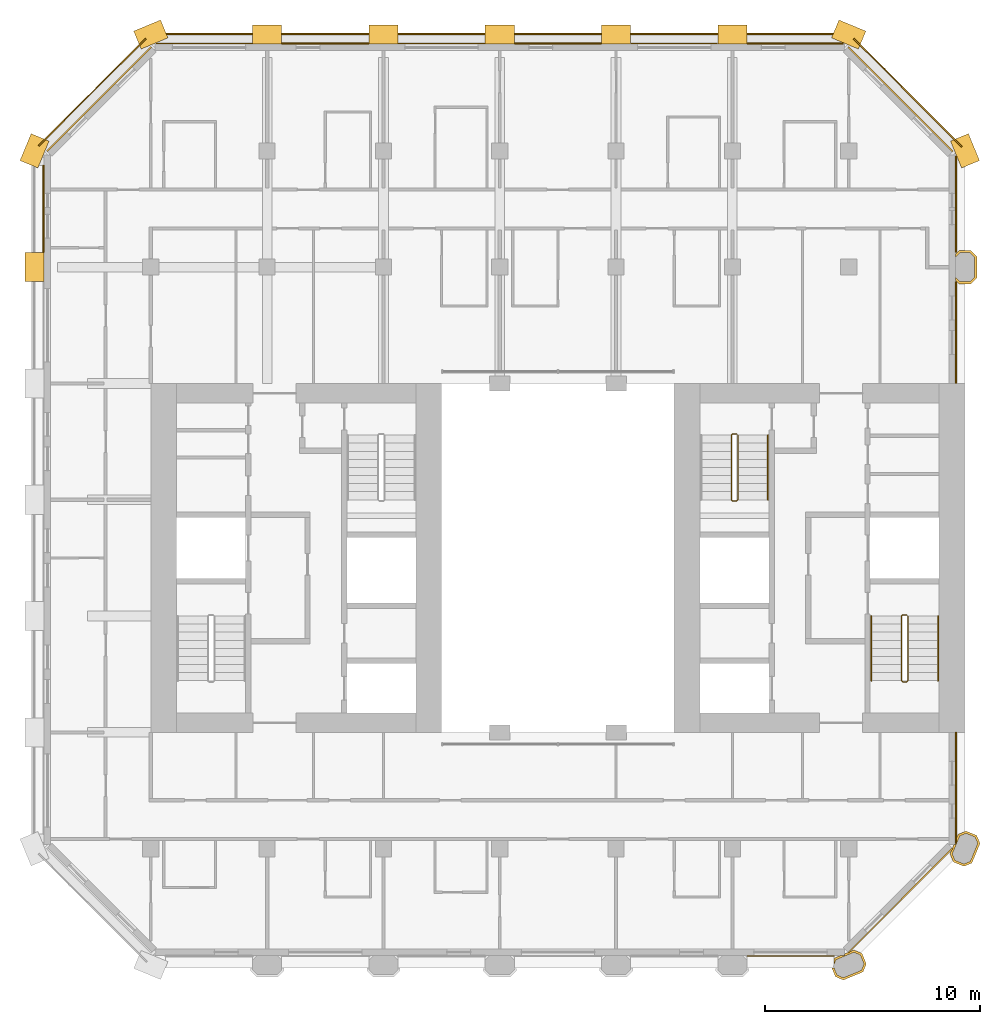
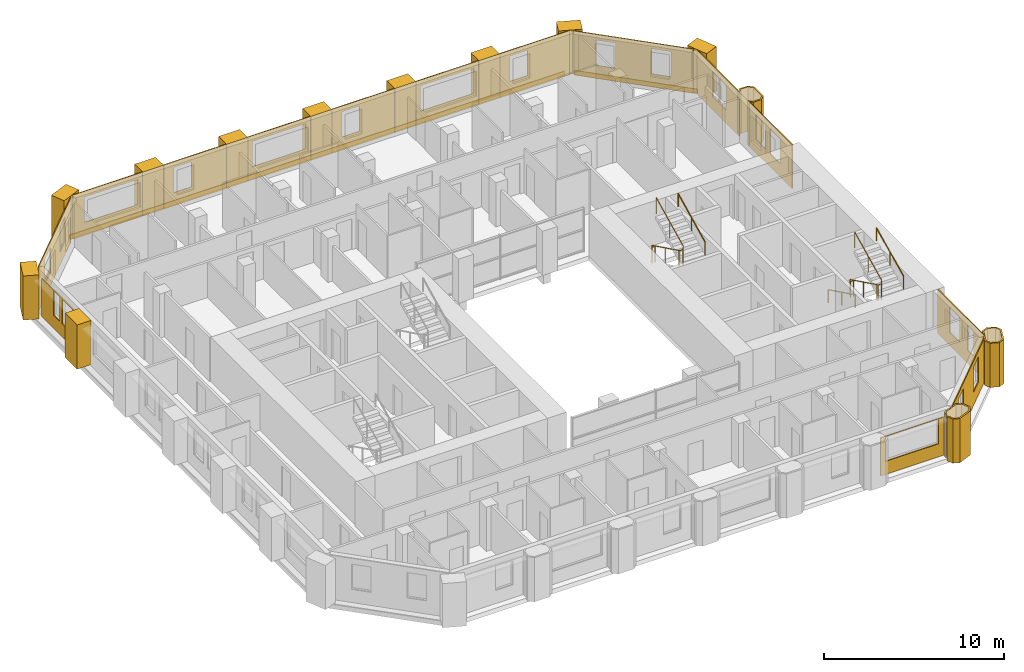
# One storey, part 14 of 14: 30 coverings, 5 railings.
"""IFC4 building model written with IfcOpenShell, lengths in metres."""

from ifc_helpers import new_model, si_unit, direction, frame, frame_2d, origin, origin_2d, place, context, subcontext, project, spatial, polyline, rectangle, circle, outline, extrude, material, layer, layer_set, type_object, element, save


model = new_model("IFC4")

# Units and contexts
model_context = context("Model", 3, precision=1e-05, world=origin(), true_north=direction((0.0, 1.0)))
body_context = subcontext(model_context, "Body", "Model", "MODEL_VIEW")
ifc_project = project(units=[si_unit("LENGTHUNIT", "METRE"), si_unit("AREAUNIT", "SQUARE_METRE"), si_unit("VOLUMEUNIT", "CUBIC_METRE"), si_unit("PLANEANGLEUNIT", "RADIAN"), si_unit("MASSUNIT", "GRAM", prefix="KILO")], contexts=[model_context])

# Site, building, storey
site_placement = place(None, origin())
site = spatial("IfcSite", under=ifc_project, at=site_placement, CompositionType="ELEMENT")
building_placement = place(site_placement, origin())
building = spatial("IfcBuilding", under=site, at=building_placement, Name="Tabaq Tower and Sports Hall", CompositionType="ELEMENT")
storey_placement = place(building_placement, frame((0.0, 0.0, 223.60009765625)))
storey = spatial("IfcBuildingStorey", under=building, at=storey_placement, Name="L56", CompositionType="ELEMENT", Elevation=223.60009765625)

# Coverings
ifc_material_1 = material(Name="Precast concrete C60/75", Category="concrete")
ifc_layer_1 = layer(ifc_material_1, 0.10009765625)
ifc_layer_set_1 = layer_set([ifc_layer_1], Name="Column cladding 100")
covering_type_1 = type_object("IfcCoveringType", Name="Column cladding 100", PredefinedType="CLADDING", material=ifc_layer_set_1)
covering_1_placement = place(storey_placement, origin())
element("IfcCovering", 1, at=covering_1_placement, inside=storey, type_object=covering_type_1, Name="Column cladding L56 PC-8B-H3", PredefinedType="CLADDING", context=body_context, shape_type="SweptSolid", body=[
    extrude(outline(polyline([(37.023681640625, 5.249755859375), (37.125244140625, 5.249755859375), (37.125244140625, 5.26416015625), (37.26220703125, 4.93359375), (37.556396484375, 4.811767578125), (38.38818359375, 5.15625), (38.510009765625, 5.450439453125), (38.337646484375, 5.866455078125), (38.04345703125, 5.98828125), (37.2119140625, 5.643798828125), (37.125244140625, 5.434814453125), (37.125244140625, 5.694580078125), (37.1357421875, 5.7197265625), (37.44921875, 5.849609375), (37.614013671875, 5.849609375), (37.614013671875, 5.91796875), (37.767578125, 5.9814453125), (37.799072265625, 5.9501953125), (37.875, 6.026123046875), (38.04345703125, 6.095947265625), (38.413818359375, 5.9423828125), (38.61767578125, 5.450439453125), (38.46435546875, 5.080078125), (37.556396484375, 4.7041015625), (37.186279296875, 4.857421875), (37.023681640625, 5.249755859375)])), origin(), (0.0, 0.0, 1.0), 3.0),
])
covering_2_placement = place(storey_placement, origin())
element("IfcCovering", 2, at=covering_2_placement, inside=storey, type_object=covering_type_1, Name="Column cladding L56 PC-9C-H3", PredefinedType="CLADDING", context=body_context, shape_type="SweptSolid", body=[
    extrude(outline(polyline([(42.657470703125, 10.186279296875), (42.504150390625, 10.556396484375), (42.573974609375, 10.72509765625), (42.64990234375, 10.801025390625), (42.618408203125, 10.83251953125), (42.68212890625, 10.986083984375), (42.750244140625, 10.986083984375), (42.750244140625, 11.04296875), (42.810302734375, 11.04296875), (42.810302734375, 11.295654296875), (42.880126953125, 11.46435546875), (43.25048828125, 11.61767578125), (43.742431640625, 11.413818359375), (43.895751953125, 11.04345703125), (43.519775390625, 10.1357421875), (43.149658203125, 9.982421875), (42.657470703125, 10.186279296875)]), holes=[polyline([(43.66650390625, 11.337646484375), (43.25048828125, 11.510009765625), (42.956298828125, 11.38818359375), (42.61181640625, 10.556396484375), (42.733642578125, 10.26220703125), (43.149658203125, 10.08984375), (43.44384765625, 10.2119140625), (43.788330078125, 11.04345703125), (43.66650390625, 11.337646484375)])]), origin(), (0.0, 0.0, 1.0), 3.0),
])
covering_3_placement = place(storey_placement, origin())
element("IfcCovering", 3, at=covering_3_placement, inside=storey, type_object=covering_type_1, Name="Column cladding L56 PC-9H-H3", PredefinedType="CLADDING", context=body_context, shape_type="SweptSolid", body=[
    extrude(outline(polyline([(42.93359375, 37.025390625), (42.750244140625, 37.208740234375), (42.750244140625, 37.349365234375), (42.974853515625, 37.124755859375), (43.425048828125, 37.124755859375), (43.650390625, 37.349853515625), (43.650390625, 38.250244140625), (43.425048828125, 38.475341796875), (42.974853515625, 38.475341796875), (42.750244140625, 38.250732421875), (42.750244140625, 38.391357421875), (42.93359375, 38.57470703125), (43.46630859375, 38.57470703125), (43.749755859375, 38.291259765625), (43.749755859375, 37.30859375), (43.46630859375, 37.025390625), (42.93359375, 37.025390625)])), origin(), (0.0, 0.0, 1.0), 3.0),
])
ifc_material_2 = material(Name="Precast concrete C60/75", Category="concrete")
ifc_layer_2 = layer(ifc_material_2, 0.06005859375)
ifc_layer_set_2 = layer_set([ifc_layer_2], Name="Edge beam cladding 60")
covering_type_2 = type_object("IfcCoveringType", Name="Edge beam cladding 60", PredefinedType="CLADDING", material=ifc_layer_set_2)
covering_4_placement = place(storey_placement, frame((43.04443359375, 43.39794921875, -0.300048828125), z_axis=(0.0, 0.0, 1.0), x_axis=(-0.707106781187, 0.707106781187, 0.0)))
element("IfcCovering", 4, at=covering_4_placement, inside=storey, type_object=covering_type_2, Name="Edge beam cladding L56 1", PredefinedType="CLADDING", context=body_context, shape_type="SweptSolid", body=[
    extrude(rectangle(XDim=7.08837890625, YDim=0.06005859375, at=frame_2d((3.544189453125, 0.0))), origin(), (0.0, 0.0, 1.0), 0.300048828125),
])
covering_5_placement = place(storey_placement, frame((37.50146484375, 48.6298828125, -0.300048828125), z_axis=(0.0, 0.0, 1.0), x_axis=(-1.0, 0.0, 0.0)))
element("IfcCovering", 5, at=covering_5_placement, inside=storey, type_object=covering_type_2, Name="Edge beam cladding L56 2", PredefinedType="CLADDING", context=body_context, shape_type="SweptSolid", body=[
    extrude(rectangle(XDim=31.802978515625, YDim=0.06005859375, at=frame_2d((15.9013671875, 0.0))), origin(), (0.0, 0.0, 1.0), 0.300048828125),
])
covering_6_placement = place(storey_placement, frame((5.167724609375, 48.41015625, -0.300048828125), z_axis=(0.0, 0.0, 1.0), x_axis=(-0.707106781187, -0.707106781187, 0.0)))
element("IfcCovering", 6, at=covering_6_placement, inside=storey, type_object=covering_type_2, Name="Edge beam cladding L56 3", PredefinedType="CLADDING", context=body_context, shape_type="SweptSolid", body=[
    extrude(rectangle(XDim=7.03955078125, YDim=0.06005859375, at=frame_2d((3.519775390625, 0.0))), origin(), (0.0, 0.0, 1.0), 0.300048828125),
])
ifc_material_3 = material(Name="White precast concrete C60/75", Category="concrete")
covering_type_3 = type_object("IfcCoveringType", Name="Pier cladding hung 1350x900", PredefinedType="CLADDING", material=ifc_material_3)
for number, where, z_axis, x_axis, name in (
    (7, (0.0, 38.47509765625, 0.0), (0.0, 0.0, 1.0), (0.0, -1.0, 0.0), "Hung pier cladding 0/7"),
    (8, (0.25830078125, 43.82373046875, 0.0), (0.0, 0.0, 1.0), (-0.382649923473, -0.923893411637, 0.0), "Hung pier cladding 0/8"),
    (9, (6.023681640625, 48.8583984375, 0.0), (0.0, 0.0, 1.0), (-0.923893411637, -0.382649923473, 0.0), "Hung pier cladding 1/9"),
    (10, (11.47509765625, 48.60009765625, 0.0), (0.0, 0.0, 1.0), (-1.0, 0.0, 0.0), "Hung pier cladding 2/9"),
    (11, (16.875, 48.60009765625, 0.0), (0.0, 0.0, 1.0), (-1.0, 0.0, 0.0), "Hung pier cladding 3/9"),
):
    element("IfcCovering", number, at=place(storey_placement, frame(where, z_axis=z_axis, x_axis=x_axis)), inside=storey, type_object=covering_type_3, Name=name, PredefinedType="CLADDING", context=body_context, shape_type="SweptSolid", body=[
        extrude(rectangle(XDim=1.35009765625, YDim=0.89990234375, at=frame_2d((0.675048828125, 0.0))), origin(), (0.0, 0.0, 1.0), 3.0),
    ])
covering_7_placement = place(storey_placement, frame((22.27490234375, 48.60009765625, 0.0), z_axis=(0.0, 0.0, 1.0), x_axis=(-1.0, 0.0, 0.0)))
element("IfcCovering", 12, at=covering_7_placement, inside=storey, type_object=covering_type_3, Name="Hung pier cladding 4/9", PredefinedType="CLADDING", context=body_context, shape_type="SweptSolid", body=[
    extrude(rectangle(XDim=1.349853515625, YDim=0.89990234375, at=frame_2d((0.6748046875, 0.0))), origin(), (0.0, 0.0, 1.0), 3.0),
])
covering_8_placement = place(storey_placement, frame((27.675048828125, 48.60009765625, 0.0), z_axis=(0.0, 0.0, 1.0), x_axis=(-1.0, 0.0, 0.0)))
element("IfcCovering", 13, at=covering_8_placement, inside=storey, type_object=covering_type_3, Name="Hung pier cladding 5/9", PredefinedType="CLADDING", context=body_context, shape_type="SweptSolid", body=[
    extrude(rectangle(XDim=1.35009765625, YDim=0.89990234375, at=frame_2d((0.675048828125, 0.0))), origin(), (0.0, 0.0, 1.0), 3.0),
])
covering_9_placement = place(storey_placement, frame((33.074951171875, 48.60009765625, 0.0), z_axis=(0.0, 0.0, 1.0), x_axis=(-1.0, 0.0, 0.0)))
element("IfcCovering", 14, at=covering_9_placement, inside=storey, type_object=covering_type_3, Name="Hung pier cladding 6/9", PredefinedType="CLADDING", context=body_context, shape_type="SweptSolid", body=[
    extrude(rectangle(XDim=1.349853515625, YDim=0.89990234375, at=frame_2d((0.6748046875, 0.0))), origin(), (0.0, 0.0, 1.0), 3.0),
])
for number, where, z_axis, x_axis, name in (
    (15, (38.423583984375, 48.341796875, 0.0), (0.0, 0.0, 1.0), (-0.923893411637, 0.382649923473, 0.0), "Hung pier cladding 7/9"),
    (16, (43.458251953125, 42.576416015625, 0.0), (0.0, 0.0, 1.0), (-0.382649923473, 0.923893411637, 0.0), "Hung pier cladding 8/8"),
):
    element("IfcCovering", number, at=place(storey_placement, frame(where, z_axis=z_axis, x_axis=x_axis)), inside=storey, type_object=covering_type_3, Name=name, PredefinedType="CLADDING", context=body_context, shape_type="SweptSolid", body=[
        extrude(rectangle(XDim=1.35009765625, YDim=0.89990234375, at=frame_2d((0.675048828125, 0.0))), origin(), (0.0, 0.0, 1.0), 3.0),
    ])

# Railings
ifc_material_4 = material(Name="Stainless steel", Category="steel")
railing_type_1 = type_object("IfcRailingType", Name="Stair guard", PredefinedType="GUARDRAIL", material=ifc_material_4)
railing_1_placement = place(storey_placement, frame((40.5, 21.64990234375, 0.0)))
element("IfcRailing", 17, at=railing_1_placement, inside=storey, type_object=railing_type_1, Name="L56 ST3 stair guard 1", PredefinedType="GUARDRAIL", context=body_context, shape_type="SweptSolid", body=[
    extrude(circle(Radius=0.02392578125, at=origin_2d()), frame((0.0, 0.0, 1.076171875), z_axis=(-1.0, 0.0, 0.0), x_axis=(0.0, -1.0, 0.0)), (0.0, 0.0, 1.0), 0.199951171875),
    extrude(circle(Radius=0.02392578125, at=origin_2d()), frame((-0.199951171875, 0.0, 1.076171875), z_axis=(-0.254733673405, -0.25349107012, 0.933195066962), x_axis=(0.705375805398, -0.708833529934, 0.0)), (0.0, 0.0, 1.0), 0.196533203125),
    extrude(circle(Radius=0.02392578125, at=origin_2d()), frame((-0.25, -0.0498046875, 1.25927734375), z_axis=(0.0, -0.898397823093, 0.439182594671), x_axis=(1.0, 0.0, 0.0)), (0.0, 0.0, 1.0), 3.33935546875),
    extrude(circle(Radius=0.02392578125, at=origin_2d()), frame((-0.25, -3.0498046875, 2.72607421875), z_axis=(0.707106781187, -0.707106781187, 0.0), x_axis=(0.707106781187, 0.707106781187, 0.0)), (0.0, 0.0, 1.0), 0.07080078125),
    extrude(circle(Radius=0.02392578125, at=origin_2d()), frame((-0.199951171875, -3.099853515625, 2.72607421875), z_axis=(1.0, 0.0, 0.0), x_axis=(0.0, 1.0, 0.0)), (0.0, 0.0, 1.0), 0.199951171875),
    extrude(circle(Radius=0.02392578125, at=origin_2d()), frame((0.0, -3.099853515625, 2.72607421875), z_axis=(0.254653276557, 0.254653276557, 0.932900539971), x_axis=(-0.707106781187, 0.707106781187, 0.0)), (0.0, 0.0, 1.0), 0.196533203125),
    extrude(circle(Radius=0.02392578125, at=origin_2d()), frame((0.050048828125, -3.0498046875, 2.9091796875), z_axis=(0.0, 0.898397823093, 0.439182594671), x_axis=(-1.0, 0.0, 0.0)), (0.0, 0.0, 1.0), 3.33935546875),
    extrude(circle(Radius=0.02099609375, at=origin_2d()), origin(), (0.0, 0.0, 1.0), 1.052001953125),
    extrude(circle(Radius=0.02099609375, at=origin_2d()), frame((-0.199951171875, 0.0, 0.0)), (0.0, 0.0, 1.0), 1.052001953125),
    extrude(circle(Radius=0.02099609375, at=origin_2d()), frame((-0.25, -0.0498046875, 0.183349609375)), (0.0, 0.0, 1.0), 1.052001953125),
    extrude(circle(Radius=0.02099609375, at=origin_2d()), frame((-0.25, -1.5498046875, 0.91650390625)), (0.0, 0.0, 1.0), 1.052001953125),
    extrude(circle(Radius=0.02099609375, at=origin_2d()), frame((-0.25, -3.0498046875, 1.64990234375)), (0.0, 0.0, 1.0), 1.052001953125),
    extrude(circle(Radius=0.02099609375, at=origin_2d()), frame((-0.199951171875, -3.099853515625, 1.64990234375)), (0.0, 0.0, 1.0), 1.052001953125),
    extrude(circle(Radius=0.02099609375, at=origin_2d()), frame((0.0, -3.099853515625, 1.64990234375)), (0.0, 0.0, 1.0), 1.052001953125),
    extrude(circle(Radius=0.02099609375, at=origin_2d()), frame((0.050048828125, -3.0498046875, 1.833251953125)), (0.0, 0.0, 1.0), 1.052001953125),
    extrude(circle(Radius=0.02099609375, at=origin_2d()), frame((0.050048828125, -1.5498046875, 2.56640625)), (0.0, 0.0, 1.0), 1.052001953125),
    extrude(circle(Radius=0.02099609375, at=origin_2d()), frame((0.050048828125, -0.0498046875, 3.2998046875)), (0.0, 0.0, 1.0), 1.052001953125),
])
railing_2_placement = place(storey_placement, frame((32.60009765625, 30.050048828125, 0.0)))
element("IfcRailing", 18, at=railing_2_placement, inside=storey, type_object=railing_type_1, Name="L56 ST4 stair guard 1", PredefinedType="GUARDRAIL", context=body_context, shape_type="SweptSolid", body=[
    extrude(circle(Radius=0.02392578125, at=origin_2d()), frame((0.0, 0.0, 1.076171875), z_axis=(-1.0, 0.0, 0.0), x_axis=(0.0, -1.0, 0.0)), (0.0, 0.0, 1.0), 0.2001953125),
    extrude(circle(Radius=0.02392578125, at=origin_2d()), frame((-0.2001953125, 0.0, 1.076171875), z_axis=(-0.25349107012, -0.254733673405, 0.933195066962), x_axis=(0.708833529934, -0.705375805398, 0.0)), (0.0, 0.0, 1.0), 0.196533203125),
    extrude(circle(Radius=0.02392578125, at=origin_2d()), frame((-0.25, -0.050048828125, 1.25927734375), z_axis=(0.0, -0.898397823093, 0.439182594671), x_axis=(1.0, 0.0, 0.0)), (0.0, 0.0, 1.0), 3.33935546875),
    extrude(circle(Radius=0.02392578125, at=origin_2d()), frame((-0.25, -3.050048828125, 2.72607421875), z_axis=(0.705375805398, -0.708833529934, 0.0), x_axis=(0.708833529934, 0.705375805398, 0.0)), (0.0, 0.0, 1.0), 0.070556640625),
    extrude(circle(Radius=0.02392578125, at=origin_2d()), frame((-0.2001953125, -3.10009765625, 2.72607421875), z_axis=(1.0, 0.0, 0.0), x_axis=(0.0, 1.0, 0.0)), (0.0, 0.0, 1.0), 0.2001953125),
    extrude(circle(Radius=0.02392578125, at=origin_2d()), frame((0.0, -3.10009765625, 2.72607421875), z_axis=(0.25349107012, 0.254733673405, 0.933195066962), x_axis=(-0.708833529934, 0.705375805398, 0.0)), (0.0, 0.0, 1.0), 0.196533203125),
    extrude(circle(Radius=0.02392578125, at=origin_2d()), frame((0.0498046875, -3.050048828125, 2.9091796875), z_axis=(0.0, 0.898397823093, 0.439182594671), x_axis=(-1.0, 0.0, 0.0)), (0.0, 0.0, 1.0), 3.33935546875),
    extrude(circle(Radius=0.02099609375, at=origin_2d()), origin(), (0.0, 0.0, 1.0), 1.052001953125),
    extrude(circle(Radius=0.02099609375, at=origin_2d()), frame((-0.2001953125, 0.0, 0.0)), (0.0, 0.0, 1.0), 1.052001953125),
    extrude(circle(Radius=0.02099609375, at=origin_2d()), frame((-0.25, -0.050048828125, 0.183349609375)), (0.0, 0.0, 1.0), 1.052001953125),
    extrude(circle(Radius=0.02099609375, at=origin_2d()), frame((-0.25, -1.550048828125, 0.91650390625)), (0.0, 0.0, 1.0), 1.052001953125),
    extrude(circle(Radius=0.02099609375, at=origin_2d()), frame((-0.25, -3.050048828125, 1.64990234375)), (0.0, 0.0, 1.0), 1.052001953125),
    extrude(circle(Radius=0.02099609375, at=origin_2d()), frame((-0.2001953125, -3.10009765625, 1.64990234375)), (0.0, 0.0, 1.0), 1.052001953125),
    extrude(circle(Radius=0.02099609375, at=origin_2d()), frame((0.0, -3.10009765625, 1.64990234375)), (0.0, 0.0, 1.0), 1.052001953125),
    extrude(circle(Radius=0.02099609375, at=origin_2d()), frame((0.0498046875, -3.050048828125, 1.833251953125)), (0.0, 0.0, 1.0), 1.052001953125),
    extrude(circle(Radius=0.02099609375, at=origin_2d()), frame((0.0498046875, -1.550048828125, 2.56640625)), (0.0, 0.0, 1.0), 1.052001953125),
    extrude(circle(Radius=0.02099609375, at=origin_2d()), frame((0.0498046875, -0.050048828125, 3.2998046875)), (0.0, 0.0, 1.0), 1.052001953125),
])
ifc_material_5 = material(Name="Stainless steel", Category="steel")
railing_type_2 = type_object("IfcRailingType", Name="Stair handrail", PredefinedType="HANDRAIL", material=ifc_material_5)
railing_3_placement = place(storey_placement, frame((38.85009765625, 21.60009765625, 0.183349609375)))
element("IfcRailing", 19, at=railing_3_placement, inside=storey, type_object=railing_type_2, Name="L56 ST3 stair handrail 1", PredefinedType="HANDRAIL", context=body_context, shape_type="SweptSolid", body=[
    extrude(circle(Radius=0.02392578125, at=origin_2d()), frame((0.0, 0.0, 0.8759765625), z_axis=(0.0, -0.898397823093, 0.439182594671), x_axis=(1.0, 0.0, 0.0)), (0.0, 0.0, 1.0), 3.33935546875),
    extrude(circle(Radius=0.02099609375, at=origin_2d()), origin(), (0.0, 0.0, 1.0), 0.851806640625),
    extrude(circle(Radius=0.02099609375, at=origin_2d()), frame((0.0, -1.5, 0.7333984375)), (0.0, 0.0, 1.0), 0.851806640625),
    extrude(circle(Radius=0.02099609375, at=origin_2d()), frame((0.0, -3.0, 1.466552734375)), (0.0, 0.0, 1.0), 0.851806640625),
])
for number, where, name in (
    (20, (41.949951171875, 18.60009765625, 1.833251953125), "L56 ST3 stair handrail 2"),
    (21, (34.050048828125, 27.0, 1.833251953125), "L56 ST4 stair handrail 2"),
):
    element("IfcRailing", number, at=place(storey_placement, frame(where)), inside=storey, type_object=railing_type_2, Name=name, PredefinedType="HANDRAIL", context=body_context, shape_type="SweptSolid", body=[
        extrude(circle(Radius=0.02392578125, at=origin_2d()), frame((0.0, 0.0, 0.8759765625), z_axis=(0.0, 0.898397823093, 0.439182594671), x_axis=(-1.0, 0.0, 0.0)), (0.0, 0.0, 1.0), 3.33935546875),
        extrude(circle(Radius=0.02099609375, at=origin_2d()), origin(), (0.0, 0.0, 1.0), 0.851806640625),
        extrude(circle(Radius=0.02099609375, at=origin_2d()), frame((0.0, 1.5, 0.7333984375)), (0.0, 0.0, 1.0), 0.851806640625),
        extrude(circle(Radius=0.02099609375, at=origin_2d()), frame((0.0, 3.0, 1.466552734375)), (0.0, 0.0, 1.0), 0.851806640625),
    ])

# Coverings
ifc_material_6 = material(Name="Precast concrete C60/75", Category="concrete")
ifc_layer_3 = layer(ifc_material_6, 0.06005859375)
ifc_layer_set_3 = layer_set([ifc_layer_3], Name="White precast cladding panel 60 C60/75")
covering_type_4 = type_object("IfcCoveringType", Name="White precast cladding panel 60 C60/75", PredefinedType="CLADDING", material=ifc_layer_set_3)
covering_10_placement = place(storey_placement, frame((33.0849609375, 5.820068359375, 0.0), z_axis=(0.0, 0.0, 1.0), x_axis=(1.0, 0.0, 0.0)))
element("IfcCovering", 22, at=covering_10_placement, inside=storey, type_object=covering_type_4, Name="White precast cladding panel L56 wall00 6", PredefinedType="CLADDING", context=body_context, shape_type="SweptSolid", body=[
    extrude(outline(polyline([(0.0, 0.0), (4.050048828125, 0.0), (4.050048828125, 2.58984375), (0.0, 2.58984375), (0.0, 0.0)]), holes=[polyline([(3.72509765625, 0.889892578125), (0.304931640625, 0.889892578125), (0.304931640625, 2.559814453125), (3.72509765625, 2.559814453125), (3.72509765625, 0.889892578125)])]), frame((0.0, 0.030029296875, 0.0), z_axis=(0.0, -1.0, 0.0), x_axis=(1.0, 0.0, 0.0)), (0.0, 0.0, 1.0), 0.06005859375),
])
covering_11_placement = place(storey_placement, frame((37.77783203125, 5.9716796875, 0.0), z_axis=(0.0, 0.0, 1.0), x_axis=(0.707088985397, 0.707124576528, 0.0)))
element("IfcCovering", 23, at=covering_11_placement, inside=storey, type_object=covering_type_4, Name="White precast cladding panel L56 wall01", PredefinedType="CLADDING", context=body_context, shape_type="SweptSolid", body=[
    extrude(outline(polyline([(0.0, 0.0), (6.859619140625, 0.0), (6.859619140625, 3.0), (0.0, 3.0), (0.0, 0.0)]), holes=[polyline([(1.269775390625, 2.60986328125), (2.389892578125, 2.60986328125), (2.389892578125, 0.889892578125), (1.269775390625, 0.889892578125), (1.269775390625, 2.60986328125)]), polyline([(4.4697265625, 2.60986328125), (5.58984375, 2.60986328125), (5.58984375, 0.889892578125), (4.4697265625, 0.889892578125), (4.4697265625, 2.60986328125)])]), frame((0.0, 0.030029296875, 0.0), z_axis=(0.0, -1.0, 0.0), x_axis=(1.0, 0.0, 0.0)), (0.0, 0.0, 1.0), 0.06005859375),
])
covering_12_placement = place(storey_placement, frame((42.780029296875, 11.043212890625, 0.0), z_axis=(0.0, 0.0, 1.0), x_axis=(0.0, 1.0, 0.0)))
element("IfcCovering", 24, at=covering_12_placement, inside=storey, type_object=covering_type_4, Name="White precast cladding panel L56 wall02", PredefinedType="CLADDING", context=body_context, shape_type="SweptSolid", body=[
    extrude(outline(polyline([(0.0, 0.0), (5.15673828125, 0.0), (5.15673828125, 3.0), (0.0, 3.0), (0.0, 0.0)]), holes=[polyline([(1.171875, 2.60986328125), (1.841796875, 2.60986328125), (1.841796875, 0.889892578125), (1.171875, 0.889892578125), (1.171875, 2.60986328125)]), polyline([(2.69677734375, 2.60986328125), (3.81689453125, 2.60986328125), (3.81689453125, 0.889892578125), (2.69677734375, 0.889892578125), (2.69677734375, 2.60986328125)])]), frame((0.0, 0.030029296875, 0.0), z_axis=(0.0, -1.0, 0.0), x_axis=(1.0, 0.0, 0.0)), (0.0, 0.0, 1.0), 0.06005859375),
])
covering_13_placement = place(storey_placement, frame((42.780029296875, 32.39990234375, 0.0), z_axis=(0.0, 0.0, 1.0), x_axis=(0.0, 1.0, 0.0)))
element("IfcCovering", 25, at=covering_13_placement, inside=storey, type_object=covering_type_4, Name="White precast cladding panel L56 wall02-1", PredefinedType="CLADDING", context=body_context, shape_type="SweptSolid", body=[
    extrude(outline(polyline([(0.0, 0.0), (4.715087890625, 0.0), (4.715087890625, 3.0), (0.0, 3.0), (0.0, 0.0)]), holes=[polyline([(1.340087890625, 2.60986328125), (2.4599609375, 2.60986328125), (2.4599609375, 0.889892578125), (1.340087890625, 0.889892578125), (1.340087890625, 2.60986328125)]), polyline([(2.93994140625, 2.60986328125), (4.06005859375, 2.60986328125), (4.06005859375, 0.889892578125), (2.93994140625, 0.889892578125), (2.93994140625, 2.60986328125)])]), frame((0.0, 0.030029296875, 0.0), z_axis=(0.0, -1.0, 0.0), x_axis=(1.0, 0.0, 0.0)), (0.0, 0.0, 1.0), 0.06005859375),
])
covering_14_placement = place(storey_placement, frame((42.780029296875, 38.485107421875, 0.0), z_axis=(0.0, 0.0, 1.0), x_axis=(0.0, 1.0, 0.0)))
element("IfcCovering", 26, at=covering_14_placement, inside=storey, type_object=covering_type_4, Name="White precast cladding panel L56 wall02-1 2", PredefinedType="CLADDING", context=body_context, shape_type="SweptSolid", body=[
    extrude(outline(polyline([(0.0, 0.0), (4.4716796875, 0.0), (4.4716796875, 3.0), (0.0, 3.0), (0.0, 0.0)]), holes=[polyline([(1.280029296875, 2.60986328125), (1.949951171875, 2.60986328125), (1.949951171875, 0.889892578125), (1.280029296875, 0.889892578125), (1.280029296875, 2.60986328125)]), polyline([(2.080078125, 2.60986328125), (2.75, 2.60986328125), (2.75, 0.889892578125), (2.080078125, 0.889892578125), (2.080078125, 2.60986328125)])]), frame((0.0, 0.030029296875, 0.0), z_axis=(0.0, -1.0, 0.0), x_axis=(1.0, 0.0, 0.0)), (0.0, 0.0, 1.0), 0.06005859375),
])
covering_15_placement = place(storey_placement, frame((42.628173828125, 43.177734375, 0.0), z_axis=(0.0, 0.0, 1.0), x_axis=(-0.707088985397, 0.707124576528, 0.0)))
element("IfcCovering", 27, at=covering_15_placement, inside=storey, type_object=covering_type_4, Name="White precast cladding panel L56 wall03", PredefinedType="CLADDING", context=body_context, shape_type="SweptSolid", body=[
    extrude(outline(polyline([(0.0, 0.0), (6.859619140625, 0.0), (6.859619140625, 3.0), (0.0, 3.0), (0.0, 0.0)]), holes=[polyline([(1.269775390625, 2.60986328125), (2.389892578125, 2.60986328125), (2.389892578125, 0.889892578125), (1.269775390625, 0.889892578125), (1.269775390625, 2.60986328125)]), polyline([(4.4697265625, 2.60986328125), (5.58984375, 2.60986328125), (5.58984375, 0.889892578125), (4.4697265625, 0.889892578125), (4.4697265625, 2.60986328125)])]), frame((0.0, 0.030029296875, 0.0), z_axis=(0.0, -1.0, 0.0), x_axis=(1.0, 0.0, 0.0)), (0.0, 0.0, 1.0), 0.06005859375),
])
covering_16_placement = place(storey_placement, frame((37.556884765625, 48.179931640625, 0.0), z_axis=(0.0, 0.0, 1.0), x_axis=(-1.0, 0.0, 0.0)))
element("IfcCovering", 28, at=covering_16_placement, inside=storey, type_object=covering_type_4, Name="White precast cladding panel L56 wall04", PredefinedType="CLADDING", context=body_context, shape_type="SweptSolid", body=[
    extrude(outline(polyline([(0.0, 0.0), (4.471923828125, 0.0), (4.471923828125, 3.0), (0.0, 3.0), (0.0, 0.0)]), holes=[polyline([(2.69677734375, 0.889892578125), (2.69677734375, 2.60986328125), (3.81689453125, 2.60986328125), (3.81689453125, 0.889892578125), (2.69677734375, 0.889892578125)])]), frame((0.0, 0.030029296875, 0.0), z_axis=(0.0, -1.0, 0.0), x_axis=(1.0, 0.0, 0.0)), (0.0, 0.0, 1.0), 0.06005859375),
])
covering_17_placement = place(storey_placement, frame((31.715087890625, 48.179931640625, 0.0), z_axis=(0.0, 0.0, 1.0), x_axis=(-1.0, 0.0, 0.0)))
element("IfcCovering", 29, at=covering_17_placement, inside=storey, type_object=covering_type_4, Name="White precast cladding panel L56 wall04 2", PredefinedType="CLADDING", context=body_context, shape_type="SweptSolid", body=[
    extrude(outline(polyline([(0.0, 0.0), (4.030029296875, 0.0), (4.030029296875, 3.0), (0.0, 3.0), (0.0, 0.0)]), holes=[polyline([(0.304931640625, 0.889892578125), (0.304931640625, 2.60986328125), (3.72509765625, 2.60986328125), (3.72509765625, 0.889892578125), (0.304931640625, 0.889892578125)])]), frame((0.0, 0.030029296875, 0.0), z_axis=(0.0, -1.0, 0.0), x_axis=(1.0, 0.0, 0.0)), (0.0, 0.0, 1.0), 0.06005859375),
])
covering_18_placement = place(storey_placement, frame((26.31494140625, 48.179931640625, 0.0), z_axis=(0.0, 0.0, 1.0), x_axis=(-1.0, 0.0, 0.0)))
element("IfcCovering", 30, at=covering_18_placement, inside=storey, type_object=covering_type_4, Name="White precast cladding panel L56 wall04 3", PredefinedType="CLADDING", context=body_context, shape_type="SweptSolid", body=[
    extrude(outline(polyline([(0.0, 0.0), (4.030029296875, 0.0), (4.030029296875, 3.0), (0.0, 3.0), (0.0, 0.0)]), holes=[polyline([(2.2548828125, 0.889892578125), (2.2548828125, 2.60986328125), (3.375, 2.60986328125), (3.375, 0.889892578125), (2.2548828125, 0.889892578125)])]), frame((0.0, 0.030029296875, 0.0), z_axis=(0.0, -1.0, 0.0), x_axis=(1.0, 0.0, 0.0)), (0.0, 0.0, 1.0), 0.06005859375),
])
covering_19_placement = place(storey_placement, frame((20.9150390625, 48.179931640625, 0.0), z_axis=(0.0, 0.0, 1.0), x_axis=(-1.0, 0.0, 0.0)))
element("IfcCovering", 31, at=covering_19_placement, inside=storey, type_object=covering_type_4, Name="White precast cladding panel L56 wall04 4", PredefinedType="CLADDING", context=body_context, shape_type="SweptSolid", body=[
    extrude(outline(polyline([(0.0, 0.0), (4.030029296875, 0.0), (4.030029296875, 3.0), (0.0, 3.0), (0.0, 0.0)]), holes=[polyline([(0.304931640625, 0.889892578125), (0.304931640625, 2.60986328125), (3.72509765625, 2.60986328125), (3.72509765625, 0.889892578125), (0.304931640625, 0.889892578125)])]), frame((0.0, 0.030029296875, 0.0), z_axis=(0.0, -1.0, 0.0), x_axis=(1.0, 0.0, 0.0)), (0.0, 0.0, 1.0), 0.06005859375),
])
covering_20_placement = place(storey_placement, frame((15.514892578125, 48.179931640625, 0.0), z_axis=(0.0, 0.0, 1.0), x_axis=(-1.0, 0.0, 0.0)))
element("IfcCovering", 32, at=covering_20_placement, inside=storey, type_object=covering_type_4, Name="White precast cladding panel L56 wall04 5", PredefinedType="CLADDING", context=body_context, shape_type="SweptSolid", body=[
    extrude(outline(polyline([(0.0, 0.0), (4.02978515625, 0.0), (4.02978515625, 3.0), (0.0, 3.0), (0.0, 0.0)]), holes=[polyline([(2.2548828125, 0.889892578125), (2.2548828125, 2.60986328125), (3.375, 2.60986328125), (3.375, 0.889892578125), (2.2548828125, 0.889892578125)])]), frame((0.0, 0.030029296875, 0.0), z_axis=(0.0, -1.0, 0.0), x_axis=(1.0, 0.0, 0.0)), (0.0, 0.0, 1.0), 0.06005859375),
])
covering_21_placement = place(storey_placement, frame((10.114990234375, 48.179931640625, 0.0), z_axis=(0.0, 0.0, 1.0), x_axis=(-1.0, 0.0, 0.0)))
element("IfcCovering", 33, at=covering_21_placement, inside=storey, type_object=covering_type_4, Name="White precast cladding panel L56 wall04 6", PredefinedType="CLADDING", context=body_context, shape_type="SweptSolid", body=[
    extrude(outline(polyline([(0.0, 0.0), (4.471923828125, 0.0), (4.471923828125, 3.0), (0.0, 3.0), (0.0, 0.0)]), holes=[polyline([(0.304931640625, 0.889892578125), (0.304931640625, 2.60986328125), (3.72509765625, 2.60986328125), (3.72509765625, 0.889892578125), (0.304931640625, 0.889892578125)])]), frame((0.0, 0.030029296875, 0.0), z_axis=(0.0, -1.0, 0.0), x_axis=(1.0, 0.0, 0.0)), (0.0, 0.0, 1.0), 0.06005859375),
])
covering_22_placement = place(storey_placement, frame((5.42236328125, 48.0283203125, 0.0), z_axis=(0.0, 0.0, 1.0), x_axis=(-0.707106781187, -0.707106781187, 0.0)))
element("IfcCovering", 34, at=covering_22_placement, inside=storey, type_object=covering_type_4, Name="White precast cladding panel L56 wall05", PredefinedType="CLADDING", context=body_context, shape_type="SweptSolid", body=[
    extrude(outline(polyline([(0.0, 0.0), (6.85986328125, 0.0), (6.85986328125, 3.0), (0.0, 3.0), (0.0, 0.0)]), holes=[polyline([(1.269775390625, 2.60986328125), (2.389892578125, 2.60986328125), (2.389892578125, 0.889892578125), (1.269775390625, 0.889892578125), (1.269775390625, 2.60986328125)]), polyline([(4.4697265625, 2.60986328125), (5.58984375, 2.60986328125), (5.58984375, 0.889892578125), (4.4697265625, 0.889892578125), (4.4697265625, 2.60986328125)])]), frame((0.0, 0.030029296875, 0.0), z_axis=(0.0, -1.0, 0.0), x_axis=(1.0, 0.0, 0.0)), (0.0, 0.0, 1.0), 0.06005859375),
])
covering_23_placement = place(storey_placement, frame((0.419921875, 42.534912109375, 0.0), z_axis=(0.0, 0.0, 1.0), x_axis=(0.0, -1.0, 0.0)))
element("IfcCovering", 35, at=covering_23_placement, inside=storey, type_object=covering_type_4, Name="White precast cladding panel L56 wall06", PredefinedType="CLADDING", context=body_context, shape_type="SweptSolid", body=[
    extrude(outline(polyline([(0.0, 0.0), (4.0498046875, 0.0), (4.0498046875, 2.58984375), (0.0, 2.58984375), (0.0, 0.0)]), holes=[polyline([(1.300048828125, 0.889892578125), (1.300048828125, 2.559814453125), (1.969970703125, 2.559814453125), (1.969970703125, 0.889892578125), (1.300048828125, 0.889892578125)]), polyline([(2.27490234375, 0.889892578125), (2.27490234375, 2.559814453125), (3.39501953125, 2.559814453125), (3.39501953125, 0.889892578125), (2.27490234375, 0.889892578125)])]), frame((0.0, 0.030029296875, 0.0), z_axis=(0.0, -1.0, 0.0), x_axis=(1.0, 0.0, 0.0)), (0.0, 0.0, 1.0), 0.06005859375),
])

save(model, "model.ifc")
